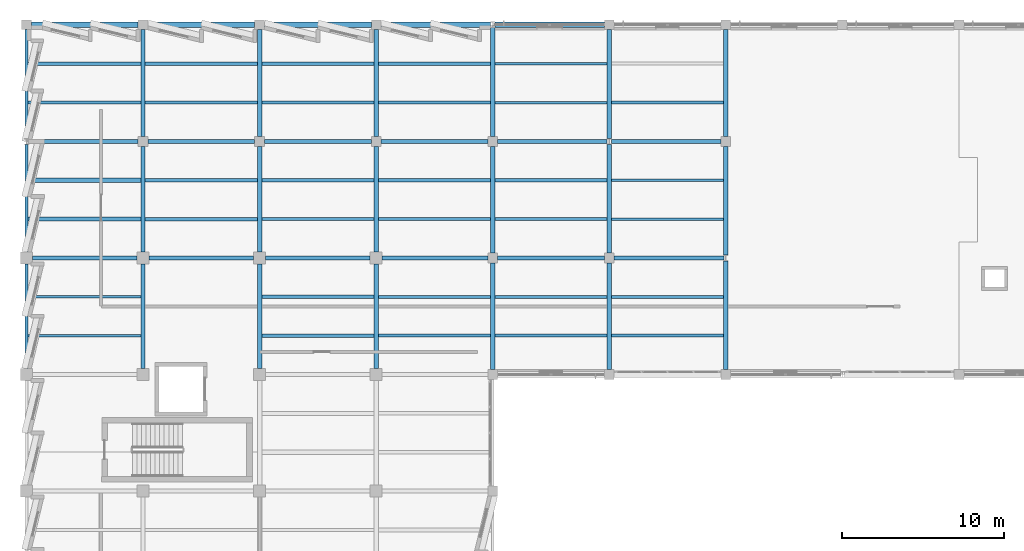
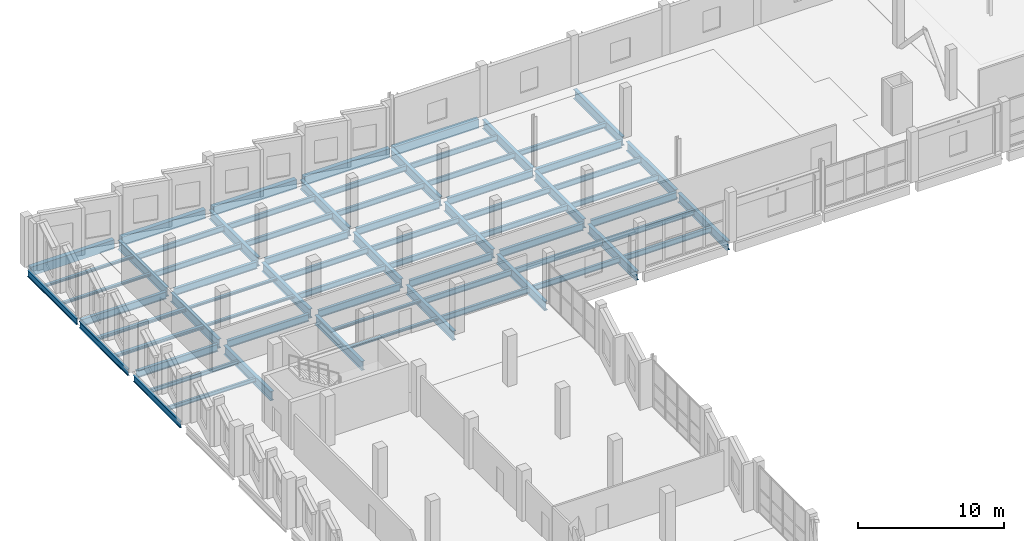
# One storey, part 44 of 94: 71 beams.
"""IFC4 building model written with IfcOpenShell, lengths in metres."""

from ifc_helpers import new_model, si_unit, direction, frame, origin, origin_2d, place, context, subcontext, project, spatial, rectangle, i_section, extrude, material, material_profile, profile_set, type_object, element, save


model = new_model("IFC4")

# Units and contexts
model_context = context("Model", 3, precision=1e-05, world=origin(), true_north=direction((0.0, 1.0)))
body_context = subcontext(model_context, "Body", "Model", "MODEL_VIEW")
ifc_project = project(units=[si_unit("LENGTHUNIT", "METRE"), si_unit("AREAUNIT", "SQUARE_METRE"), si_unit("VOLUMEUNIT", "CUBIC_METRE"), si_unit("PLANEANGLEUNIT", "RADIAN"), si_unit("MASSUNIT", "GRAM", prefix="KILO")], contexts=[model_context])

# Site, building, storey
site_placement = place(None, origin())
site = spatial("IfcSite", under=ifc_project, at=site_placement, CompositionType="ELEMENT")
building_placement = place(site_placement, origin())
building = spatial("IfcBuilding", under=site, at=building_placement, Name="Kalmorath City Hall", CompositionType="ELEMENT")
storey_placement = place(building_placement, frame((0.0, 0.0, 14.699951171875)))
storey = spatial("IfcBuildingStorey", under=building, at=storey_placement, Name="L03", CompositionType="ELEMENT", Elevation=14.699951171875)

# Beams
ifc_material_1 = material(Name="Precast concrete C40/50", Category="concrete")
ifc_material_profile_1 = material_profile(ifc_material_1, rectangle(XDim=0.35009765625, YDim=0.75, at=origin_2d()), Name="PC-SP-350X750")
ifc_profile_set_1 = profile_set([ifc_material_profile_1], Name="Precast concrete C40/50")
beam_type_1 = type_object("IfcBeamType", Name="Precast spandrel lintel 350x750", PredefinedType="LINTEL", material=ifc_profile_set_1)
beam_1_placement = place(storey_placement, frame((0.300048828125, 115.199951171875, -0.638916015625), z_axis=(1.0, 0.0, 0.0), x_axis=(0.0, 1.0, 0.0)))
element("IfcBeam", 1, at=beam_1_placement, inside=storey, type_object=beam_type_1, Name="L03 girder PSB1 X1-2/17", PredefinedType="LINTEL", context=body_context, shape_type="SweptSolid", body=[
    extrude(rectangle(XDim=0.35009765625, YDim=0.75, at=origin_2d()), origin(), (0.0, 0.0, 1.0), 6.599853515625),
])
for number, where, z_axis, x_axis, name in (
    (2, (7.5, 115.199951171875, -0.638916015625), (1.0, 0.0, 0.0), (0.0, 1.0, 0.0), "L03 girder PSB1 X2-3/17"),
    (3, (14.699951171875, 115.199951171875, -0.638916015625), (1.0, 0.0, 0.0), (0.0, 1.0, 0.0), "L03 girder PSB1 X3-4/17"),
):
    element("IfcBeam", number, at=place(storey_placement, frame(where, z_axis=z_axis, x_axis=x_axis)), inside=storey, type_object=beam_type_1, Name=name, PredefinedType="LINTEL", context=body_context, shape_type="SweptSolid", body=[
        extrude(rectangle(XDim=0.35009765625, YDim=0.75, at=origin_2d()), origin(), (0.0, 0.0, 1.0), 6.60009765625),
    ])
beam_2_placement = place(storey_placement, frame((21.89990234375, 115.199951171875, -0.638916015625), z_axis=(1.0, 0.0, 0.0), x_axis=(0.0, 1.0, 0.0)))
element("IfcBeam", 4, at=beam_2_placement, inside=storey, type_object=beam_type_1, Name="L03 girder PSB1 X4-5/17", PredefinedType="LINTEL", context=body_context, shape_type="SweptSolid", body=[
    extrude(rectangle(XDim=0.35009765625, YDim=0.75, at=origin_2d()), origin(), (0.0, 0.0, 1.0), 6.773193359375),
])
beam_3_placement = place(storey_placement, frame((28.927001953125, 115.199951171875, -0.638916015625), z_axis=(1.0, 0.0, 0.0), x_axis=(0.0, 1.0, 0.0)))
element("IfcBeam", 5, at=beam_3_placement, inside=storey, type_object=beam_type_1, Name="L03 girder PSB1 X5-6/17", PredefinedType="LINTEL", context=body_context, shape_type="SweptSolid", body=[
    extrude(rectangle(XDim=0.35009765625, YDim=0.75, at=origin_2d()), origin(), (0.0, 0.0, 1.0), 6.77294921875),
])
ifc_material_2 = material(Name="Steel ASTM A992 Grade 50", Category="steel")
ifc_material_profile_2 = material_profile(ifc_material_2, i_section(OverallWidth=0.180908203125, OverallDepth=0.4169921875, WebThickness=0.010986328125, FlangeThickness=0.018310546875, FilletRadius=0.012939453125, at=origin_2d()), Name="W16X57")
ifc_profile_set_2 = profile_set([ifc_material_profile_2], Name="Steel ASTM A992 Grade 50")
beam_type_2 = type_object("IfcBeamType", Name="Steel composite joist W16X57", PredefinedType="JOIST", material=ifc_profile_set_2)
beam_4_placement = place(storey_placement, frame((36.134033203125, 110.39990234375, -0.472412109375), z_axis=(1.0, 0.0, 0.0), x_axis=(0.0, 1.0, 0.0)))
element("IfcBeam", 6, at=beam_4_placement, inside=storey, type_object=beam_type_2, Name="L03 joist SJ5 6.16.1", PredefinedType="JOIST", context=body_context, shape_type="SweptSolid", body=[
    extrude(i_section(OverallWidth=0.180908203125, OverallDepth=0.4169921875, WebThickness=0.010986328125, FlangeThickness=0.018310546875, FilletRadius=0.012939453125, at=origin_2d()), origin(), (0.0, 0.0, 1.0), 6.931884765625),
])
ifc_material_3 = material(Name="Steel ASTM A992 Grade 50", Category="steel")
ifc_material_profile_3 = material_profile(ifc_material_3, i_section(OverallWidth=0.153076171875, OverallDepth=0.455078125, WebThickness=0.008056640625, FlangeThickness=0.01318359375, FilletRadius=0.013916015625, at=origin_2d()), Name="W18X40")
ifc_profile_set_3 = profile_set([ifc_material_profile_3], Name="Steel ASTM A992 Grade 50")
beam_type_3 = type_object("IfcBeamType", Name="Steel composite joist W18X40", PredefinedType="JOIST", material=ifc_profile_set_3)
for number, where, z_axis, x_axis, name in (
    (7, (28.93408203125, 110.39990234375, -0.491455078125), (1.0, 0.0, 0.0), (0.0, 1.0, 0.0), "L03 joist SJ4 5.16.1"),
    (8, (28.93408203125, 112.800048828125, -0.491455078125), (1.0, 0.0, 0.0), (0.0, 1.0, 0.0), "L03 joist SJ4 5.16.2"),
    (9, (36.134033203125, 103.199951171875, -0.491455078125), (1.0, 0.0, 0.0), (0.0, 1.0, 0.0), "L03 joist SJ4 6.15.1"),
    (10, (36.134033203125, 105.60009765625, -0.491455078125), (1.0, 0.0, 0.0), (0.0, 1.0, 0.0), "L03 joist SJ4 6.15.2"),
):
    element("IfcBeam", number, at=place(storey_placement, frame(where, z_axis=z_axis, x_axis=x_axis)), inside=storey, type_object=beam_type_3, Name=name, PredefinedType="JOIST", context=body_context, shape_type="SweptSolid", body=[
        extrude(i_section(OverallWidth=0.153076171875, OverallDepth=0.455078125, WebThickness=0.008056640625, FlangeThickness=0.01318359375, FilletRadius=0.013916015625, at=origin_2d()), origin(), (0.0, 0.0, 1.0), 6.931884765625),
    ])
ifc_material_4 = material(Name="Steel ASTM A992 Grade 50", Category="steel")
ifc_material_profile_4 = material_profile(ifc_material_4, i_section(OverallWidth=0.19091796875, OverallDepth=0.45703125, WebThickness=0.009033203125, FlangeThickness=0.014404296875, FilletRadius=0.013916015625, at=origin_2d()), Name="W18X50")
ifc_profile_set_4 = profile_set([ifc_material_profile_4], Name="Steel ASTM A992 Grade 50")
beam_type_4 = type_object("IfcBeamType", Name="Steel composite joist W18X50", PredefinedType="JOIST", material=ifc_profile_set_4)
for number, where, z_axis, x_axis, name in (
    (11, (21.73388671875, 110.39990234375, -0.492431640625), (1.0, 0.0, 0.0), (0.0, 1.0, 0.0), "L03 joist SJ3 4.16.1"),
    (12, (21.73388671875, 112.800048828125, -0.492431640625), (1.0, 0.0, 0.0), (0.0, 1.0, 0.0), "L03 joist SJ3 4.16.2"),
):
    element("IfcBeam", number, at=place(storey_placement, frame(where, z_axis=z_axis, x_axis=x_axis)), inside=storey, type_object=beam_type_4, Name=name, PredefinedType="JOIST", context=body_context, shape_type="SweptSolid", body=[
        extrude(i_section(OverallWidth=0.19091796875, OverallDepth=0.45703125, WebThickness=0.009033203125, FlangeThickness=0.014404296875, FilletRadius=0.013916015625, at=origin_2d()), origin(), (0.0, 0.0, 1.0), 6.93212890625),
    ])
for number, where, z_axis, x_axis, name in (
    (13, (28.93408203125, 103.199951171875, -0.492431640625), (1.0, 0.0, 0.0), (0.0, 1.0, 0.0), "L03 joist SJ3 5.15.1"),
    (14, (28.93408203125, 105.60009765625, -0.492431640625), (1.0, 0.0, 0.0), (0.0, 1.0, 0.0), "L03 joist SJ3 5.15.2"),
    (15, (36.134033203125, 96.0, -0.492431640625), (1.0, 0.0, 0.0), (0.0, 1.0, 0.0), "L03 joist SJ3 6.14.1"),
    (16, (36.134033203125, 98.39990234375, -0.492431640625), (1.0, 0.0, 0.0), (0.0, 1.0, 0.0), "L03 joist SJ3 6.14.2"),
):
    element("IfcBeam", number, at=place(storey_placement, frame(where, z_axis=z_axis, x_axis=x_axis)), inside=storey, type_object=beam_type_4, Name=name, PredefinedType="JOIST", context=body_context, shape_type="SweptSolid", body=[
        extrude(i_section(OverallWidth=0.19091796875, OverallDepth=0.45703125, WebThickness=0.009033203125, FlangeThickness=0.014404296875, FilletRadius=0.013916015625, at=origin_2d()), origin(), (0.0, 0.0, 1.0), 6.931884765625),
    ])
ifc_material_5 = material(Name="Steel ASTM A992 Grade 50", Category="steel")
ifc_material_profile_5 = material_profile(ifc_material_5, i_section(OverallWidth=0.19091796875, OverallDepth=0.4599609375, WebThickness=0.010009765625, FlangeThickness=0.01611328125, FilletRadius=0.013916015625, at=origin_2d()), Name="W18X55")
ifc_profile_set_5 = profile_set([ifc_material_profile_5], Name="Steel ASTM A992 Grade 50")
beam_type_5 = type_object("IfcBeamType", Name="Steel composite joist W18X55", PredefinedType="JOIST", material=ifc_profile_set_5)
for number, where, z_axis, x_axis, name in (
    (17, (14.533935546875, 110.39990234375, -0.493896484375), (1.0, 0.0, 0.0), (0.0, 1.0, 0.0), "L03 joist SJ2 3.16.1"),
    (18, (14.533935546875, 112.800048828125, -0.493896484375), (1.0, 0.0, 0.0), (0.0, 1.0, 0.0), "L03 joist SJ2 3.16.2"),
    (19, (21.73388671875, 103.199951171875, -0.493896484375), (1.0, 0.0, 0.0), (0.0, 1.0, 0.0), "L03 joist SJ2 4.15.1"),
    (20, (21.73388671875, 105.60009765625, -0.493896484375), (1.0, 0.0, 0.0), (0.0, 1.0, 0.0), "L03 joist SJ2 4.15.2"),
):
    element("IfcBeam", number, at=place(storey_placement, frame(where, z_axis=z_axis, x_axis=x_axis)), inside=storey, type_object=beam_type_5, Name=name, PredefinedType="JOIST", context=body_context, shape_type="SweptSolid", body=[
        extrude(i_section(OverallWidth=0.19091796875, OverallDepth=0.4599609375, WebThickness=0.010009765625, FlangeThickness=0.01611328125, FilletRadius=0.013916015625, at=origin_2d()), origin(), (0.0, 0.0, 1.0), 6.93212890625),
    ])
for number, where, z_axis, x_axis, name in (
    (21, (28.93408203125, 96.0, -0.493896484375), (1.0, 0.0, 0.0), (0.0, 1.0, 0.0), "L03 joist SJ2 5.14.1"),
    (22, (28.93408203125, 98.39990234375, -0.493896484375), (1.0, 0.0, 0.0), (0.0, 1.0, 0.0), "L03 joist SJ2 5.14.2"),
):
    element("IfcBeam", number, at=place(storey_placement, frame(where, z_axis=z_axis, x_axis=x_axis)), inside=storey, type_object=beam_type_5, Name=name, PredefinedType="JOIST", context=body_context, shape_type="SweptSolid", body=[
        extrude(i_section(OverallWidth=0.19091796875, OverallDepth=0.4599609375, WebThickness=0.010009765625, FlangeThickness=0.01611328125, FilletRadius=0.013916015625, at=origin_2d()), origin(), (0.0, 0.0, 1.0), 6.931884765625),
    ])
ifc_material_6 = material(Name="Steel ASTM A992 Grade 50", Category="steel")
ifc_material_profile_6 = material_profile(ifc_material_6, i_section(OverallWidth=0.193115234375, OverallDepth=0.466064453125, WebThickness=0.011474609375, FlangeThickness=0.01904296875, FilletRadius=0.013916015625, at=origin_2d()), Name="W18X65")
ifc_profile_set_6 = profile_set([ifc_material_profile_6], Name="Steel ASTM A992 Grade 50")
beam_type_6 = type_object("IfcBeamType", Name="Steel composite joist W18X65", PredefinedType="JOIST", material=ifc_profile_set_6)
for number, where, z_axis, x_axis, name in (
    (23, (7.333984375, 110.39990234375, -0.4970703125), (1.0, 0.0, 0.0), (0.0, 1.0, 0.0), "L03 joist SJ1 2.16.1"),
    (24, (7.333984375, 112.800048828125, -0.4970703125), (1.0, 0.0, 0.0), (0.0, 1.0, 0.0), "L03 joist SJ1 2.16.2"),
    (25, (14.533935546875, 103.199951171875, -0.4970703125), (1.0, 0.0, 0.0), (0.0, 1.0, 0.0), "L03 joist SJ1 3.15.1"),
    (26, (14.533935546875, 105.60009765625, -0.4970703125), (1.0, 0.0, 0.0), (0.0, 1.0, 0.0), "L03 joist SJ1 3.15.2"),
    (27, (21.73388671875, 96.0, -0.4970703125), (1.0, 0.0, 0.0), (0.0, 1.0, 0.0), "L03 joist SJ1 4.14.1"),
    (28, (21.73388671875, 98.39990234375, -0.4970703125), (1.0, 0.0, 0.0), (0.0, 1.0, 0.0), "L03 joist SJ1 4.14.2"),
):
    element("IfcBeam", number, at=place(storey_placement, frame(where, z_axis=z_axis, x_axis=x_axis)), inside=storey, type_object=beam_type_6, Name=name, PredefinedType="JOIST", context=body_context, shape_type="SweptSolid", body=[
        extrude(i_section(OverallWidth=0.193115234375, OverallDepth=0.466064453125, WebThickness=0.011474609375, FlangeThickness=0.01904296875, FilletRadius=0.013916015625, at=origin_2d()), origin(), (0.0, 0.0, 1.0), 6.93212890625),
    ])
ifc_material_7 = material(Name="Steel ASTM A992 Grade 50", Category="steel")
ifc_material_profile_7 = material_profile(ifc_material_7, i_section(OverallWidth=0.202880859375, OverallDepth=0.202880859375, WebThickness=0.007080078125, FlangeThickness=0.010986328125, FilletRadius=0.010986328125, at=origin_2d()), Name="W8X31")
ifc_profile_set_7 = profile_set([ifc_material_profile_7], Name="Steel ASTM A992 Grade 50")
beam_type_7 = type_object("IfcBeamType", Name="Steel edge trimmer W8X31", PredefinedType="LINTEL", material=ifc_profile_set_7)
for number, where, z_axis, x_axis, name in (
    (29, (0.08251953125, 110.39990234375, -0.365478515625), (1.0, 0.0, 0.0), (0.0, 1.0, 0.0), "L03 joist SJ16 1.16.1"),
    (30, (0.08251953125, 112.800048828125, -0.365478515625), (1.0, 0.0, 0.0), (0.0, 1.0, 0.0), "L03 joist SJ16 1.16.2"),
):
    element("IfcBeam", number, at=place(storey_placement, frame(where, z_axis=z_axis, x_axis=x_axis)), inside=storey, type_object=beam_type_7, Name=name, PredefinedType="LINTEL", context=body_context, shape_type="SweptSolid", body=[
        extrude(i_section(OverallWidth=0.202880859375, OverallDepth=0.202880859375, WebThickness=0.007080078125, FlangeThickness=0.010986328125, FilletRadius=0.010986328125, at=origin_2d()), origin(), (0.0, 0.0, 1.0), 6.9833984375),
    ])
for number, where, z_axis, x_axis, name in (
    (31, (7.333984375, 103.199951171875, -0.365478515625), (1.0, 0.0, 0.0), (0.0, 1.0, 0.0), "L03 joist SJ16 2.15.1"),
    (32, (7.333984375, 105.60009765625, -0.365478515625), (1.0, 0.0, 0.0), (0.0, 1.0, 0.0), "L03 joist SJ16 2.15.2"),
    (33, (14.533935546875, 96.0, -0.365478515625), (1.0, 0.0, 0.0), (0.0, 1.0, 0.0), "L03 joist SJ16 3.14.1"),
    (34, (14.533935546875, 98.39990234375, -0.365478515625), (1.0, 0.0, 0.0), (0.0, 1.0, 0.0), "L03 joist SJ16 3.14.2"),
):
    element("IfcBeam", number, at=place(storey_placement, frame(where, z_axis=z_axis, x_axis=x_axis)), inside=storey, type_object=beam_type_7, Name=name, PredefinedType="LINTEL", context=body_context, shape_type="SweptSolid", body=[
        extrude(i_section(OverallWidth=0.202880859375, OverallDepth=0.202880859375, WebThickness=0.007080078125, FlangeThickness=0.010986328125, FilletRadius=0.010986328125, at=origin_2d()), origin(), (0.0, 0.0, 1.0), 6.93212890625),
    ])
ifc_material_8 = material(Name="Steel ASTM A992 Grade 50", Category="steel")
ifc_material_profile_8 = material_profile(ifc_material_8, i_section(OverallWidth=0.22802734375, OverallDepth=0.60302734375, WebThickness=0.010498046875, FlangeThickness=0.014892578125, FilletRadius=0.01611328125, at=origin_2d()), Name="W24X68")
ifc_profile_set_8 = profile_set([ifc_material_profile_8], Name="Steel ASTM A992 Grade 50")
beam_type_8 = type_object("IfcBeamType", Name="Steel floor girder W24X68", PredefinedType="BEAM", material=ifc_profile_set_8)
for number, where, z_axis, x_axis, name in (
    (35, (0.375, 100.800048828125, -0.5654296875), (1.0, 0.0, 0.0), (0.0, 1.0, 0.0), "L03 girder SG9 X1-2/15"),
    (36, (7.574951171875, 100.800048828125, -0.5654296875), (1.0, 0.0, 0.0), (0.0, 1.0, 0.0), "L03 girder SG9 X2-3/15"),
):
    element("IfcBeam", number, at=place(storey_placement, frame(where, z_axis=z_axis, x_axis=x_axis)), inside=storey, type_object=beam_type_8, Name=name, PredefinedType="BEAM", context=body_context, shape_type="SweptSolid", body=[
        extrude(i_section(OverallWidth=0.22802734375, OverallDepth=0.60302734375, WebThickness=0.010498046875, FlangeThickness=0.014892578125, FilletRadius=0.01611328125, at=origin_2d()), origin(), (0.0, 0.0, 1.0), 6.449951171875),
    ])
beam_5_placement = place(storey_placement, frame((14.77490234375, 100.800048828125, -0.5654296875), z_axis=(1.0, 0.0, 0.0), x_axis=(0.0, 1.0, 0.0)))
element("IfcBeam", 37, at=beam_5_placement, inside=storey, type_object=beam_type_8, Name="L03 girder SG9 X3-4/15", PredefinedType="BEAM", context=body_context, shape_type="SweptSolid", body=[
    extrude(i_section(OverallWidth=0.22802734375, OverallDepth=0.60302734375, WebThickness=0.010498046875, FlangeThickness=0.014892578125, FilletRadius=0.01611328125, at=origin_2d()), origin(), (0.0, 0.0, 1.0), 6.4501953125),
])
beam_6_placement = place(storey_placement, frame((21.97509765625, 100.800048828125, -0.5654296875), z_axis=(1.0, 0.0, 0.0), x_axis=(0.0, 1.0, 0.0)))
element("IfcBeam", 38, at=beam_6_placement, inside=storey, type_object=beam_type_8, Name="L03 girder SG9 X4-5/15", PredefinedType="BEAM", context=body_context, shape_type="SweptSolid", body=[
    extrude(i_section(OverallWidth=0.22802734375, OverallDepth=0.60302734375, WebThickness=0.010498046875, FlangeThickness=0.014892578125, FilletRadius=0.01611328125, at=origin_2d()), origin(), (0.0, 0.0, 1.0), 6.52490234375),
])
beam_7_placement = place(storey_placement, frame((29.10009765625, 100.800048828125, -0.5654296875), z_axis=(1.0, 0.0, 0.0), x_axis=(0.0, 1.0, 0.0)))
element("IfcBeam", 39, at=beam_7_placement, inside=storey, type_object=beam_type_8, Name="L03 girder SG9 X5-6/15", PredefinedType="BEAM", context=body_context, shape_type="SweptSolid", body=[
    extrude(i_section(OverallWidth=0.22802734375, OverallDepth=0.60302734375, WebThickness=0.010498046875, FlangeThickness=0.014892578125, FilletRadius=0.01611328125, at=origin_2d()), origin(), (0.0, 0.0, 1.0), 6.599853515625),
])
for number, where, z_axis, x_axis, name in (
    (40, (36.300048828125, 100.800048828125, -0.5654296875), (1.0, 0.0, 0.0), (0.0, 1.0, 0.0), "L03 girder SG9 X6-7/15"),
    (41, (0.126953125, 108.0, -0.5654296875), (1.0, 0.0, 0.0), (0.0, 1.0, 0.0), "L03 girder SG9 X1-2/16"),
):
    element("IfcBeam", number, at=place(storey_placement, frame(where, z_axis=z_axis, x_axis=x_axis)), inside=storey, type_object=beam_type_8, Name=name, PredefinedType="BEAM", context=body_context, shape_type="SweptSolid", body=[
        extrude(i_section(OverallWidth=0.22802734375, OverallDepth=0.60302734375, WebThickness=0.010498046875, FlangeThickness=0.014892578125, FilletRadius=0.01611328125, at=origin_2d()), origin(), (0.0, 0.0, 1.0), 6.77294921875),
    ])
for number, where, z_axis, x_axis, name in (
    (42, (7.5, 108.0, -0.5654296875), (1.0, 0.0, 0.0), (0.0, 1.0, 0.0), "L03 girder SG9 X2-3/16"),
    (43, (14.699951171875, 108.0, -0.5654296875), (1.0, 0.0, 0.0), (0.0, 1.0, 0.0), "L03 girder SG9 X3-4/16"),
    (44, (21.89990234375, 108.0, -0.5654296875), (1.0, 0.0, 0.0), (0.0, 1.0, 0.0), "L03 girder SG9 X4-5/16"),
):
    element("IfcBeam", number, at=place(storey_placement, frame(where, z_axis=z_axis, x_axis=x_axis)), inside=storey, type_object=beam_type_8, Name=name, PredefinedType="BEAM", context=body_context, shape_type="SweptSolid", body=[
        extrude(i_section(OverallWidth=0.22802734375, OverallDepth=0.60302734375, WebThickness=0.010498046875, FlangeThickness=0.014892578125, FilletRadius=0.01611328125, at=origin_2d()), origin(), (0.0, 0.0, 1.0), 6.60009765625),
    ])
for number, where, z_axis, x_axis, name in (
    (45, (29.10009765625, 108.0, -0.5654296875), (1.0, 0.0, 0.0), (0.0, 1.0, 0.0), "L03 girder SG9 X5-6/16"),
    (46, (36.126953125, 108.0, -0.5654296875), (1.0, 0.0, 0.0), (0.0, 1.0, 0.0), "L03 girder SG9 X6-7/16"),
):
    element("IfcBeam", number, at=place(storey_placement, frame(where, z_axis=z_axis, x_axis=x_axis)), inside=storey, type_object=beam_type_8, Name=name, PredefinedType="BEAM", context=body_context, shape_type="SweptSolid", body=[
        extrude(i_section(OverallWidth=0.22802734375, OverallDepth=0.60302734375, WebThickness=0.010498046875, FlangeThickness=0.014892578125, FilletRadius=0.01611328125, at=origin_2d()), origin(), (0.0, 0.0, 1.0), 6.77294921875),
    ])
ifc_material_9 = material(Name="Steel ASTM A992 Grade 50", Category="steel")
ifc_material_profile_9 = material_profile(ifc_material_9, i_section(OverallWidth=0.1669921875, OverallDepth=0.318115234375, WebThickness=0.007568359375, FlangeThickness=0.01318359375, FilletRadius=0.012939453125, at=origin_2d()), Name="W12X35")
ifc_profile_set_9 = profile_set([ifc_material_profile_9], Name="Steel ASTM A992 Grade 50")
beam_type_9 = type_object("IfcBeamType", Name="Steel header lintel W12X35", PredefinedType="LINTEL", material=ifc_profile_set_9)
for number, where, z_axis, x_axis, name in (
    (47, (0.08251953125, 96.0, -0.4228515625), (1.0, 0.0, 0.0), (0.0, 1.0, 0.0), "L03 joist SJ13 1.14.1"),
    (48, (0.08251953125, 98.39990234375, -0.4228515625), (1.0, 0.0, 0.0), (0.0, 1.0, 0.0), "L03 joist SJ13 1.14.2"),
):
    element("IfcBeam", number, at=place(storey_placement, frame(where, z_axis=z_axis, x_axis=x_axis)), inside=storey, type_object=beam_type_9, Name=name, PredefinedType="LINTEL", context=body_context, shape_type="SweptSolid", body=[
        extrude(i_section(OverallWidth=0.1669921875, OverallDepth=0.318115234375, WebThickness=0.007568359375, FlangeThickness=0.01318359375, FilletRadius=0.012939453125, at=origin_2d()), origin(), (0.0, 0.0, 1.0), 6.9833984375),
    ])
ifc_material_10 = material(Name="Steel ASTM A992 Grade 50", Category="steel")
ifc_material_profile_10 = material_profile(ifc_material_10, i_section(OverallWidth=0.26806640625, OverallDepth=0.77001953125, WebThickness=0.015625, FlangeThickness=0.025390625, FilletRadius=0.02001953125, at=origin_2d()), Name="W30X132")
ifc_profile_set_10 = profile_set([ifc_material_profile_10], Name="Steel ASTM A992 Grade 50")
beam_type_10 = type_object("IfcBeamType", Name="Steel primary girder W30X132", PredefinedType="BEAM", material=ifc_profile_set_10)
beam_8_placement = place(storey_placement, frame((7.199951171875, 93.97509765625, -0.64892578125), z_axis=(0.0, 1.0, 0.0), x_axis=(-1.0, 0.0, 0.0)))
element("IfcBeam", 49, at=beam_8_placement, inside=storey, type_object=beam_type_10, Name="L03 girder SG3 Y2/14-15", PredefinedType="BEAM", context=body_context, shape_type="SweptSolid", body=[
    extrude(i_section(OverallWidth=0.26806640625, OverallDepth=0.77001953125, WebThickness=0.015625, FlangeThickness=0.025390625, FilletRadius=0.02001953125, at=origin_2d()), origin(), (0.0, 0.0, 1.0), 6.449951171875),
])
beam_9_placement = place(storey_placement, frame((7.199951171875, 101.175048828125, -0.64892578125), z_axis=(0.0, 1.0, 0.0), x_axis=(-1.0, 0.0, 0.0)))
element("IfcBeam", 50, at=beam_9_placement, inside=storey, type_object=beam_type_10, Name="L03 girder SG3 Y2/15-16", PredefinedType="BEAM", context=body_context, shape_type="SweptSolid", body=[
    extrude(i_section(OverallWidth=0.26806640625, OverallDepth=0.77001953125, WebThickness=0.015625, FlangeThickness=0.025390625, FilletRadius=0.02001953125, at=origin_2d()), origin(), (0.0, 0.0, 1.0), 6.52490234375),
])
beam_10_placement = place(storey_placement, frame((7.199951171875, 108.300048828125, -0.64892578125), z_axis=(0.0, 1.0, 0.0), x_axis=(-1.0, 0.0, 0.0)))
element("IfcBeam", 51, at=beam_10_placement, inside=storey, type_object=beam_type_10, Name="L03 girder SG3 Y2/16-17", PredefinedType="BEAM", context=body_context, shape_type="SweptSolid", body=[
    extrude(i_section(OverallWidth=0.26806640625, OverallDepth=0.77001953125, WebThickness=0.015625, FlangeThickness=0.025390625, FilletRadius=0.02001953125, at=origin_2d()), origin(), (0.0, 0.0, 1.0), 6.599853515625),
])
beam_11_placement = place(storey_placement, frame((14.39990234375, 93.97509765625, -0.64892578125), z_axis=(0.0, 1.0, 0.0), x_axis=(-1.0, 0.0, 0.0)))
element("IfcBeam", 52, at=beam_11_placement, inside=storey, type_object=beam_type_10, Name="L03 girder SG3 Y3/14-15", PredefinedType="BEAM", context=body_context, shape_type="SweptSolid", body=[
    extrude(i_section(OverallWidth=0.26806640625, OverallDepth=0.77001953125, WebThickness=0.015625, FlangeThickness=0.025390625, FilletRadius=0.02001953125, at=origin_2d()), origin(), (0.0, 0.0, 1.0), 6.449951171875),
])
beam_12_placement = place(storey_placement, frame((14.39990234375, 101.175048828125, -0.64892578125), z_axis=(0.0, 1.0, 0.0), x_axis=(-1.0, 0.0, 0.0)))
element("IfcBeam", 53, at=beam_12_placement, inside=storey, type_object=beam_type_10, Name="L03 girder SG3 Y3/15-16", PredefinedType="BEAM", context=body_context, shape_type="SweptSolid", body=[
    extrude(i_section(OverallWidth=0.26806640625, OverallDepth=0.77001953125, WebThickness=0.015625, FlangeThickness=0.025390625, FilletRadius=0.02001953125, at=origin_2d()), origin(), (0.0, 0.0, 1.0), 6.52490234375),
])
beam_13_placement = place(storey_placement, frame((14.39990234375, 108.300048828125, -0.64892578125), z_axis=(0.0, 1.0, 0.0), x_axis=(-1.0, 0.0, 0.0)))
element("IfcBeam", 54, at=beam_13_placement, inside=storey, type_object=beam_type_10, Name="L03 girder SG3 Y3/16-17", PredefinedType="BEAM", context=body_context, shape_type="SweptSolid", body=[
    extrude(i_section(OverallWidth=0.26806640625, OverallDepth=0.77001953125, WebThickness=0.015625, FlangeThickness=0.025390625, FilletRadius=0.02001953125, at=origin_2d()), origin(), (0.0, 0.0, 1.0), 6.599853515625),
])
beam_14_placement = place(storey_placement, frame((21.60009765625, 93.97509765625, -0.64892578125), z_axis=(0.0, 1.0, 0.0), x_axis=(-1.0, 0.0, 0.0)))
element("IfcBeam", 55, at=beam_14_placement, inside=storey, type_object=beam_type_10, Name="L03 girder SG3 Y4/14-15", PredefinedType="BEAM", context=body_context, shape_type="SweptSolid", body=[
    extrude(i_section(OverallWidth=0.26806640625, OverallDepth=0.77001953125, WebThickness=0.015625, FlangeThickness=0.025390625, FilletRadius=0.02001953125, at=origin_2d()), origin(), (0.0, 0.0, 1.0), 6.449951171875),
])
beam_15_placement = place(storey_placement, frame((21.60009765625, 101.175048828125, -0.64892578125), z_axis=(0.0, 1.0, 0.0), x_axis=(-1.0, 0.0, 0.0)))
element("IfcBeam", 56, at=beam_15_placement, inside=storey, type_object=beam_type_10, Name="L03 girder SG3 Y4/15-16", PredefinedType="BEAM", context=body_context, shape_type="SweptSolid", body=[
    extrude(i_section(OverallWidth=0.26806640625, OverallDepth=0.77001953125, WebThickness=0.015625, FlangeThickness=0.025390625, FilletRadius=0.02001953125, at=origin_2d()), origin(), (0.0, 0.0, 1.0), 6.52490234375),
])
beam_16_placement = place(storey_placement, frame((21.60009765625, 108.300048828125, -0.64892578125), z_axis=(0.0, 1.0, 0.0), x_axis=(-1.0, 0.0, 0.0)))
element("IfcBeam", 57, at=beam_16_placement, inside=storey, type_object=beam_type_10, Name="L03 girder SG3 Y4/16-17", PredefinedType="BEAM", context=body_context, shape_type="SweptSolid", body=[
    extrude(i_section(OverallWidth=0.26806640625, OverallDepth=0.77001953125, WebThickness=0.015625, FlangeThickness=0.025390625, FilletRadius=0.02001953125, at=origin_2d()), origin(), (0.0, 0.0, 1.0), 6.599853515625),
])
beam_17_placement = place(storey_placement, frame((28.800048828125, 93.89990234375, -0.64892578125), z_axis=(0.0, 1.0, 0.0), x_axis=(-1.0, 0.0, 0.0)))
element("IfcBeam", 58, at=beam_17_placement, inside=storey, type_object=beam_type_10, Name="L03 girder SG3 Y5/14-15", PredefinedType="BEAM", context=body_context, shape_type="SweptSolid", body=[
    extrude(i_section(OverallWidth=0.26806640625, OverallDepth=0.77001953125, WebThickness=0.015625, FlangeThickness=0.025390625, FilletRadius=0.02001953125, at=origin_2d()), origin(), (0.0, 0.0, 1.0), 6.60009765625),
])
beam_18_placement = place(storey_placement, frame((28.800048828125, 101.10009765625, -0.64892578125), z_axis=(0.0, 1.0, 0.0), x_axis=(-1.0, 0.0, 0.0)))
element("IfcBeam", 59, at=beam_18_placement, inside=storey, type_object=beam_type_10, Name="L03 girder SG3 Y5/15-16", PredefinedType="BEAM", context=body_context, shape_type="SweptSolid", body=[
    extrude(i_section(OverallWidth=0.26806640625, OverallDepth=0.77001953125, WebThickness=0.015625, FlangeThickness=0.025390625, FilletRadius=0.02001953125, at=origin_2d()), origin(), (0.0, 0.0, 1.0), 6.599853515625),
])
beam_19_placement = place(storey_placement, frame((28.800048828125, 108.300048828125, -0.64892578125), z_axis=(0.0, 1.0, 0.0), x_axis=(-1.0, 0.0, 0.0)))
element("IfcBeam", 60, at=beam_19_placement, inside=storey, type_object=beam_type_10, Name="L03 girder SG3 Y5/16-17", PredefinedType="BEAM", context=body_context, shape_type="SweptSolid", body=[
    extrude(i_section(OverallWidth=0.26806640625, OverallDepth=0.77001953125, WebThickness=0.015625, FlangeThickness=0.025390625, FilletRadius=0.02001953125, at=origin_2d()), origin(), (0.0, 0.0, 1.0), 6.723388671875),
])
beam_20_placement = place(storey_placement, frame((36.0, 93.89990234375, -0.64892578125), z_axis=(0.0, 1.0, 0.0), x_axis=(-1.0, 0.0, 0.0)))
element("IfcBeam", 61, at=beam_20_placement, inside=storey, type_object=beam_type_10, Name="L03 girder SG3 Y6/14-15", PredefinedType="BEAM", context=body_context, shape_type="SweptSolid", body=[
    extrude(i_section(OverallWidth=0.26806640625, OverallDepth=0.77001953125, WebThickness=0.015625, FlangeThickness=0.025390625, FilletRadius=0.02001953125, at=origin_2d()), origin(), (0.0, 0.0, 1.0), 6.60009765625),
])
for number, where, z_axis, x_axis, name in (
    (62, (36.0, 101.10009765625, -0.64892578125), (0.0, 1.0, 0.0), (-1.0, 0.0, 0.0), "L03 girder SG3 Y6/15-16"),
    (63, (36.0, 108.176513671875, -0.64892578125), (0.0, 1.0, 0.0), (-1.0, 0.0, 0.0), "L03 girder SG3 Y6/16-17"),
):
    element("IfcBeam", number, at=place(storey_placement, frame(where, z_axis=z_axis, x_axis=x_axis)), inside=storey, type_object=beam_type_10, Name=name, PredefinedType="BEAM", context=body_context, shape_type="SweptSolid", body=[
        extrude(i_section(OverallWidth=0.26806640625, OverallDepth=0.77001953125, WebThickness=0.015625, FlangeThickness=0.025390625, FilletRadius=0.02001953125, at=origin_2d()), origin(), (0.0, 0.0, 1.0), 6.723388671875),
    ])
beam_21_placement = place(storey_placement, frame((43.199951171875, 93.89990234375, -0.64892578125), z_axis=(0.0, 1.0, 0.0), x_axis=(-1.0, 0.0, 0.0)))
element("IfcBeam", 64, at=beam_21_placement, inside=storey, type_object=beam_type_10, Name="L03 girder SG3 Y7/14-15", PredefinedType="BEAM", context=body_context, shape_type="SweptSolid", body=[
    extrude(i_section(OverallWidth=0.26806640625, OverallDepth=0.77001953125, WebThickness=0.015625, FlangeThickness=0.025390625, FilletRadius=0.02001953125, at=origin_2d()), origin(), (0.0, 0.0, 1.0), 6.7236328125),
])
beam_22_placement = place(storey_placement, frame((43.199951171875, 100.9765625, -0.64892578125), z_axis=(0.0, 1.0, 0.0), x_axis=(-1.0, 0.0, 0.0)))
element("IfcBeam", 65, at=beam_22_placement, inside=storey, type_object=beam_type_10, Name="L03 girder SG3 Y7/15-16", PredefinedType="BEAM", context=body_context, shape_type="SweptSolid", body=[
    extrude(i_section(OverallWidth=0.26806640625, OverallDepth=0.77001953125, WebThickness=0.015625, FlangeThickness=0.025390625, FilletRadius=0.02001953125, at=origin_2d()), origin(), (0.0, 0.0, 1.0), 6.723388671875),
])
beam_23_placement = place(storey_placement, frame((43.199951171875, 108.300048828125, -0.64892578125), z_axis=(0.0, 1.0, 0.0), x_axis=(-1.0, 0.0, 0.0)))
element("IfcBeam", 66, at=beam_23_placement, inside=storey, type_object=beam_type_10, Name="L03 girder SG3 Y7/16-17", PredefinedType="BEAM", context=body_context, shape_type="SweptSolid", body=[
    extrude(i_section(OverallWidth=0.26806640625, OverallDepth=0.77001953125, WebThickness=0.015625, FlangeThickness=0.025390625, FilletRadius=0.02001953125, at=origin_2d()), origin(), (0.0, 0.0, 1.0), 6.599853515625),
])
ifc_material_11 = material(Name="Steel ASTM A992 Grade 50", Category="steel")
ifc_material_profile_11 = material_profile(ifc_material_11, i_section(OverallWidth=0.1650390625, OverallDepth=0.52490234375, WebThickness=0.0087890625, FlangeThickness=0.011474609375, FilletRadius=0.014892578125, at=origin_2d()), Name="W21X44")
ifc_profile_set_11 = profile_set([ifc_material_profile_11], Name="Steel ASTM A992 Grade 50")
beam_type_11 = type_object("IfcBeamType", Name="Steel spandrel beam W21X44", PredefinedType="SPANDREL", material=ifc_profile_set_11)
beam_24_placement = place(storey_placement, frame((0.0, 93.97509765625, -0.5263671875), z_axis=(0.0, 1.0, 0.0), x_axis=(-1.0, 0.0, 0.0)))
element("IfcBeam", 67, at=beam_24_placement, inside=storey, type_object=beam_type_11, Name="L03 girder SB4 Y1/14-15", PredefinedType="SPANDREL", context=body_context, shape_type="SweptSolid", body=[
    extrude(i_section(OverallWidth=0.1650390625, OverallDepth=0.52490234375, WebThickness=0.0087890625, FlangeThickness=0.011474609375, FilletRadius=0.014892578125, at=origin_2d()), origin(), (0.0, 0.0, 1.0), 6.449951171875),
])
beam_25_placement = place(storey_placement, frame((0.0, 101.175048828125, -0.5263671875), z_axis=(0.0, 1.0, 0.0), x_axis=(-1.0, 0.0, 0.0)))
element("IfcBeam", 68, at=beam_25_placement, inside=storey, type_object=beam_type_11, Name="L03 girder SB4 Y1/15-16", PredefinedType="SPANDREL", context=body_context, shape_type="SweptSolid", body=[
    extrude(i_section(OverallWidth=0.1650390625, OverallDepth=0.52490234375, WebThickness=0.0087890625, FlangeThickness=0.011474609375, FilletRadius=0.014892578125, at=origin_2d()), origin(), (0.0, 0.0, 1.0), 6.6484375),
])
beam_26_placement = place(storey_placement, frame((0.0, 108.176513671875, -0.5263671875), z_axis=(0.0, 1.0, 0.0), x_axis=(-1.0, 0.0, 0.0)))
element("IfcBeam", 69, at=beam_26_placement, inside=storey, type_object=beam_type_11, Name="L03 girder SB4 Y1/16-17", PredefinedType="SPANDREL", context=body_context, shape_type="SweptSolid", body=[
    extrude(i_section(OverallWidth=0.1650390625, OverallDepth=0.52490234375, WebThickness=0.0087890625, FlangeThickness=0.011474609375, FilletRadius=0.014892578125, at=origin_2d()), origin(), (0.0, 0.0, 1.0), 6.723388671875),
])
ifc_material_12 = material(Name="Steel ASTM A992 Grade 50", Category="steel")
ifc_material_profile_12 = material_profile(ifc_material_12, i_section(OverallWidth=0.25390625, OverallDepth=0.2529296875, WebThickness=0.008544921875, FlangeThickness=0.01416015625, FilletRadius=0.011962890625, at=origin_2d()), Name="W10X49")
ifc_profile_set_12 = profile_set([ifc_material_profile_12], Name="Steel ASTM A992 Grade 50")
beam_type_12 = type_object("IfcBeamType", Name="Steel trimmer beam W10X49", PredefinedType="BEAM", material=ifc_profile_set_12)
for number, where, z_axis, x_axis, name in (
    (70, (0.08251953125, 103.199951171875, -0.390380859375), (1.0, 0.0, 0.0), (0.0, 1.0, 0.0), "L03 joist SJ14 1.15.1"),
    (71, (0.08251953125, 105.60009765625, -0.390380859375), (1.0, 0.0, 0.0), (0.0, 1.0, 0.0), "L03 joist SJ14 1.15.2"),
):
    element("IfcBeam", number, at=place(storey_placement, frame(where, z_axis=z_axis, x_axis=x_axis)), inside=storey, type_object=beam_type_12, Name=name, PredefinedType="BEAM", context=body_context, shape_type="SweptSolid", body=[
        extrude(i_section(OverallWidth=0.25390625, OverallDepth=0.2529296875, WebThickness=0.008544921875, FlangeThickness=0.01416015625, FilletRadius=0.011962890625, at=origin_2d()), origin(), (0.0, 0.0, 1.0), 6.9833984375),
    ])

save(model, "model.ifc")
